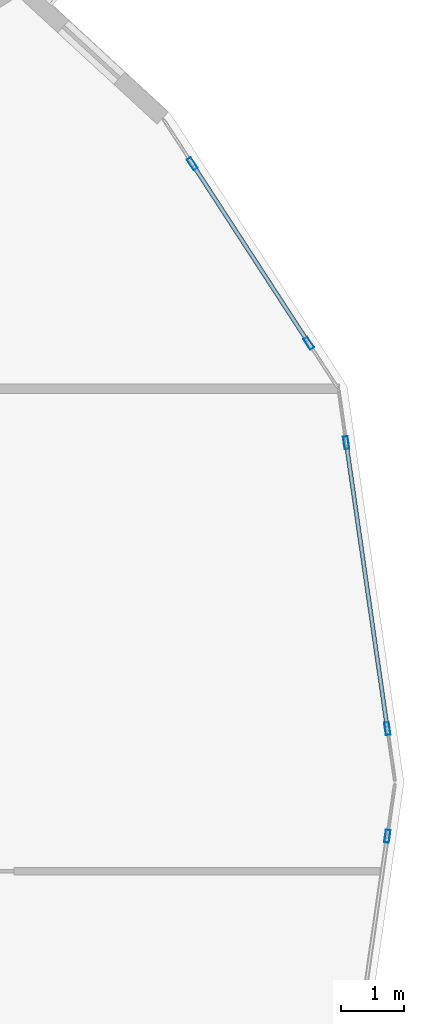
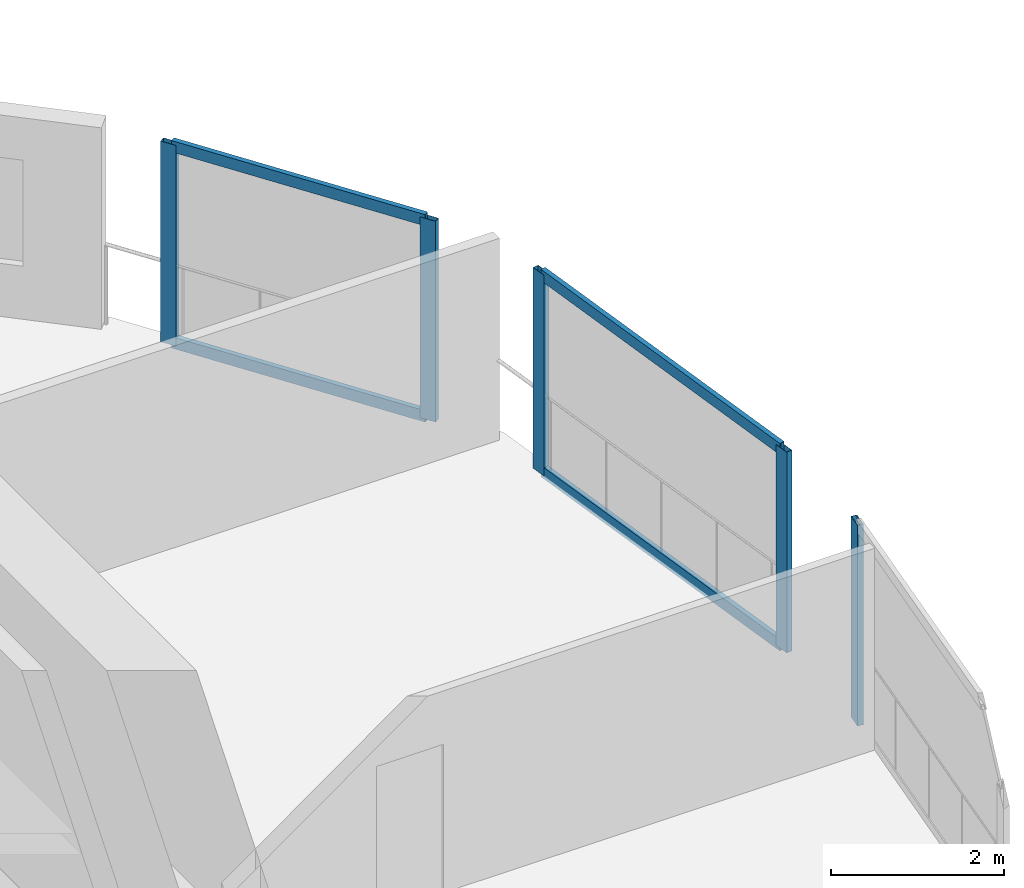
# One storey, part 5 of 14: 9 members, 3 elements without a shape of their own.
"""IFC4 building model written with IfcOpenShell, lengths in metres."""

from ifc_helpers import new_model, si_unit, direction, frame, origin, origin_2d, place, context, subcontext, project, spatial, hollow_rectangle, extrude, material, layer, layer_set, material_profile, profile_set, type_object, element, aggregate, save


model = new_model("IFC4")

# Units and contexts
model_context = context("Model", 3, precision=1e-05, world=origin(), true_north=direction((0.0, 1.0)))
body_context = subcontext(model_context, "Body", "Model", "MODEL_VIEW")
ifc_project = project(units=[si_unit("LENGTHUNIT", "METRE"), si_unit("AREAUNIT", "SQUARE_METRE"), si_unit("VOLUMEUNIT", "CUBIC_METRE"), si_unit("PLANEANGLEUNIT", "RADIAN"), si_unit("MASSUNIT", "GRAM", prefix="KILO")], contexts=[model_context])

# Site, building, storey
site_placement = place(None, origin())
site = spatial("IfcSite", under=ifc_project, at=site_placement, CompositionType="ELEMENT")
building_placement = place(site_placement, origin())
building = spatial("IfcBuilding", under=site, at=building_placement, Name="Solvane Sanctuary Tower", CompositionType="ELEMENT")
storey_placement = place(building_placement, frame((0.0, 0.0, 36.89990234375)))
storey = spatial("IfcBuildingStorey", under=building, at=storey_placement, Name="L10", CompositionType="ELEMENT", Elevation=36.89990234375)

# Curtain wall, members
ifc_material = material(Name="Anodised Aluminium 6063-T6", Category="aluminium")
ifc_layer = layer(ifc_material, 0.2099609375, Name="Anodised Aluminium 6063-T6")
ifc_layer_set = layer_set([ifc_layer], Name="Anodised Aluminium 6063-T6")
curtain_wall_type = type_object("IfcCurtainWallType", Name="Curtain Wall CW-PORTAL", PredefinedType="NOTDEFINED", material=ifc_layer_set)
curtain_wall_1_placement = place(storey_placement, origin())
curtain_wall_1 = element("IfcCurtainWall", 1, at=curtain_wall_1_placement, inside=storey, type_object=curtain_wall_type, Name="L10 CW-PORTAL Facade Run 00", PredefinedType="NOTDEFINED")
ifc_material_profile_1 = material_profile(ifc_material, hollow_rectangle(XDim=0.074951171875, YDim=0.199951171875, WallThickness=0.00390625, at=origin_2d()), Name="ALU200X75X4")
ifc_profile_set_1 = profile_set([ifc_material_profile_1], Name="Anodised Aluminium 6063-T6")
member_type_1 = type_object("IfcMemberType", Name="Member M-CW-MUL-1 ALU200X75X4", PredefinedType="MULLION", material=ifc_profile_set_1)
member_1_placement = place(storey_placement, frame((57.73779296875, 23.8486328125, 0.0), z_axis=(0.0, 0.0, 1.0), x_axis=(-0.989794236162, -0.142503929979, 0.0)))
member_1 = element("IfcMember", 2, at=member_1_placement, type_object=member_type_1, Name="CW-PORTAL mullion 1", PredefinedType="MULLION", context=body_context, shape_type="SweptSolid", body=[
    extrude(hollow_rectangle(XDim=0.074951171875, YDim=0.199951171875, WallThickness=0.00390625, at=origin_2d()), origin(), (0.0, 0.0, 1.0), 2.840087890625),
])
member_2_placement = place(storey_placement, frame((57.088623046875, 28.356689453125, 0.0), z_axis=(0.0, 0.0, 1.0), x_axis=(-0.989794236162, -0.142503929979, 0.0)))
member_2 = element("IfcMember", 3, at=member_2_placement, type_object=member_type_1, Name="CW-PORTAL mullion 2", PredefinedType="MULLION", context=body_context, shape_type="SweptSolid", body=[
    extrude(hollow_rectangle(XDim=0.074951171875, YDim=0.199951171875, WallThickness=0.00390625, at=origin_2d()), origin(), (0.0, 0.0, 1.0), 2.840087890625),
])

curtain_wall_2_placement = place(storey_placement, origin())
curtain_wall_2 = element("IfcCurtainWall", 4, at=curtain_wall_2_placement, inside=storey, type_object=curtain_wall_type, Name="L10 CW-PORTAL Facade Run 01", PredefinedType="NOTDEFINED")
member_3_placement = place(storey_placement, frame((56.49951171875, 29.924560546875, 0.0), z_axis=(0.0, 0.0, 1.0), x_axis=(-0.838732767639, -0.544543243911, 0.0)))
member_3 = element("IfcMember", 5, at=member_3_placement, type_object=member_type_1, Name="CW-PORTAL mullion 1", PredefinedType="MULLION", context=body_context, shape_type="SweptSolid", body=[
    extrude(hollow_rectangle(XDim=0.074951171875, YDim=0.199951171875, WallThickness=0.00390625, at=origin_2d()), origin(), (0.0, 0.0, 1.0), 2.840087890625),
])
member_4_placement = place(storey_placement, frame((54.660888671875, 32.75634765625, 0.0), z_axis=(0.0, 0.0, 1.0), x_axis=(-0.838732767639, -0.544543243911, 0.0)))
member_4 = element("IfcMember", 6, at=member_4_placement, type_object=member_type_1, Name="CW-PORTAL mullion 2", PredefinedType="MULLION", context=body_context, shape_type="SweptSolid", body=[
    extrude(hollow_rectangle(XDim=0.074951171875, YDim=0.199951171875, WallThickness=0.00390625, at=origin_2d()), origin(), (0.0, 0.0, 1.0), 2.840087890625),
])

# Curtain wall, member
curtain_wall_3_placement = place(storey_placement, origin())
curtain_wall_3 = element("IfcCurtainWall", 7, at=curtain_wall_3_placement, inside=storey, type_object=curtain_wall_type, Name="L10 CW-PORTAL Facade Run 23", PredefinedType="NOTDEFINED")
member_5_placement = place(storey_placement, frame((57.73779296875, 22.1513671875, 0.0), z_axis=(0.0, 0.0, 1.0), x_axis=(-0.989794236162, 0.142503929979, 0.0)))
member_5 = element("IfcMember", 8, at=member_5_placement, type_object=member_type_1, Name="CW-PORTAL mullion 2", PredefinedType="MULLION", context=body_context, shape_type="SweptSolid", body=[
    extrude(hollow_rectangle(XDim=0.074951171875, YDim=0.199951171875, WallThickness=0.00390625, at=origin_2d()), origin(), (0.0, 0.0, 1.0), 2.840087890625),
])
aggregate(curtain_wall_3, [member_5])

# Member
ifc_material_profile_2 = material_profile(ifc_material, hollow_rectangle(XDim=0.06494140625, YDim=0.159912109375, WallThickness=0.00341796875, at=origin_2d()), Name="ALU160X65X3.5")
ifc_profile_set_2 = profile_set([ifc_material_profile_2], Name="Anodised Aluminium 6063-T6")
member_type_2 = type_object("IfcMemberType", Name="Member M-CW-TRN-1 ALU160X65X3.5", PredefinedType="USERDEFINED", material=ifc_profile_set_2)
member_6_placement = place(storey_placement, frame((57.732421875, 23.8857421875, 0.03271484375), z_axis=(-0.14252000847, 0.989791921156, 0.0), x_axis=(-0.989791921156, -0.14252000847, 0.0)))
member_6 = element("IfcMember", 9, at=member_6_placement, type_object=member_type_2, Name="CW-PORTAL transom 1.1", ObjectType="TRANSOM", PredefinedType="USERDEFINED", context=body_context, shape_type="SweptSolid", body=[
    extrude(hollow_rectangle(XDim=0.06494140625, YDim=0.159912109375, WallThickness=0.00341796875, at=origin_2d()), origin(), (0.0, 0.0, 1.0), 4.4794921875),
])

member_7_placement = place(storey_placement, frame((57.732421875, 23.8857421875, 2.8076171875), z_axis=(-0.14252000847, 0.989791921156, 0.0), x_axis=(-0.989791921156, -0.14252000847, 0.0)))
member_7 = element("IfcMember", 10, at=member_7_placement, type_object=member_type_2, Name="CW-PORTAL transom 1.2", ObjectType="TRANSOM", PredefinedType="USERDEFINED", context=body_context, shape_type="SweptSolid", body=[
    extrude(hollow_rectangle(XDim=0.06494140625, YDim=0.159912109375, WallThickness=0.00341796875, at=origin_2d()), origin(), (0.0, 0.0, 1.0), 4.4794921875),
])

aggregate(curtain_wall_1, [member_1, member_2, member_6, member_7])

member_8_placement = place(storey_placement, frame((56.47900390625, 29.955810546875, 0.03271484375), z_axis=(-0.544523030782, 0.83874589057, 0.0), x_axis=(-0.83874589057, -0.544523030782, 0.0)))
member_8 = element("IfcMember", 11, at=member_8_placement, type_object=member_type_2, Name="CW-PORTAL transom 1.1", ObjectType="TRANSOM", PredefinedType="USERDEFINED", context=body_context, shape_type="SweptSolid", body=[
    extrude(hollow_rectangle(XDim=0.06494140625, YDim=0.159912109375, WallThickness=0.00341796875, at=origin_2d()), origin(), (0.0, 0.0, 1.0), 3.3017578125),
])

member_9_placement = place(storey_placement, frame((56.47900390625, 29.955810546875, 2.8076171875), z_axis=(-0.544523030782, 0.83874589057, 0.0), x_axis=(-0.83874589057, -0.544523030782, 0.0)))
member_9 = element("IfcMember", 12, at=member_9_placement, type_object=member_type_2, Name="CW-PORTAL transom 1.2", ObjectType="TRANSOM", PredefinedType="USERDEFINED", context=body_context, shape_type="SweptSolid", body=[
    extrude(hollow_rectangle(XDim=0.06494140625, YDim=0.159912109375, WallThickness=0.00341796875, at=origin_2d()), origin(), (0.0, 0.0, 1.0), 3.3017578125),
])

aggregate(curtain_wall_2, [member_3, member_4, member_8, member_9])

save(model, "model.ifc")
